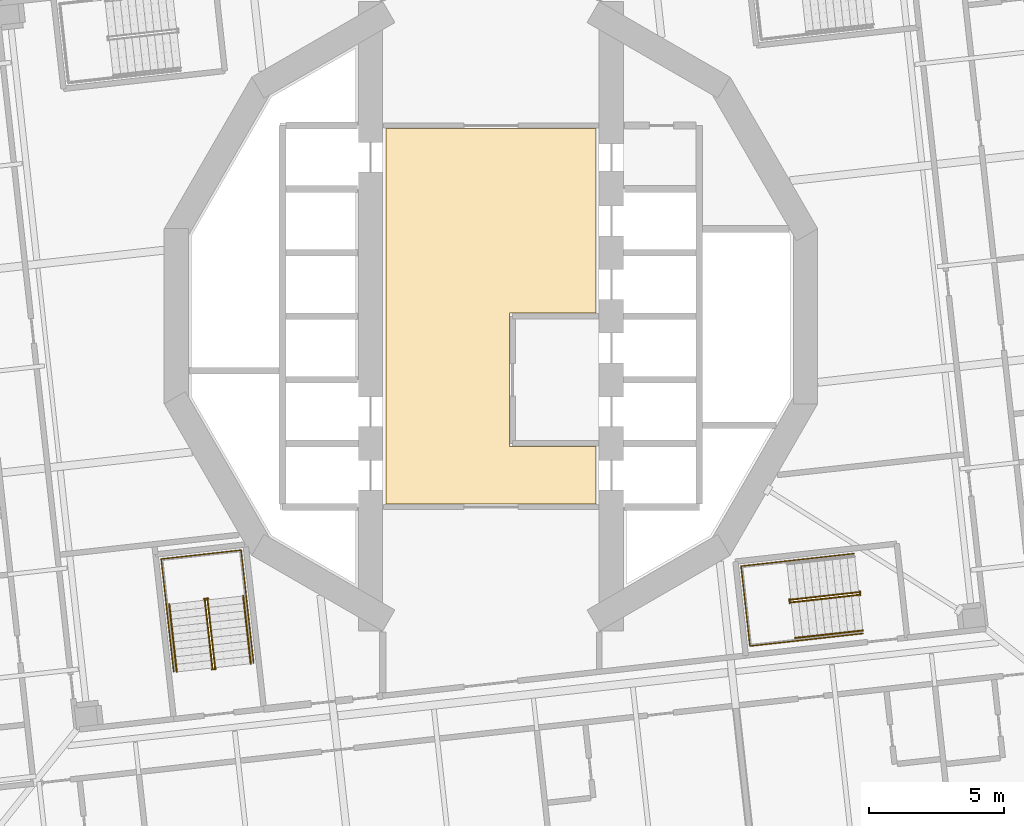
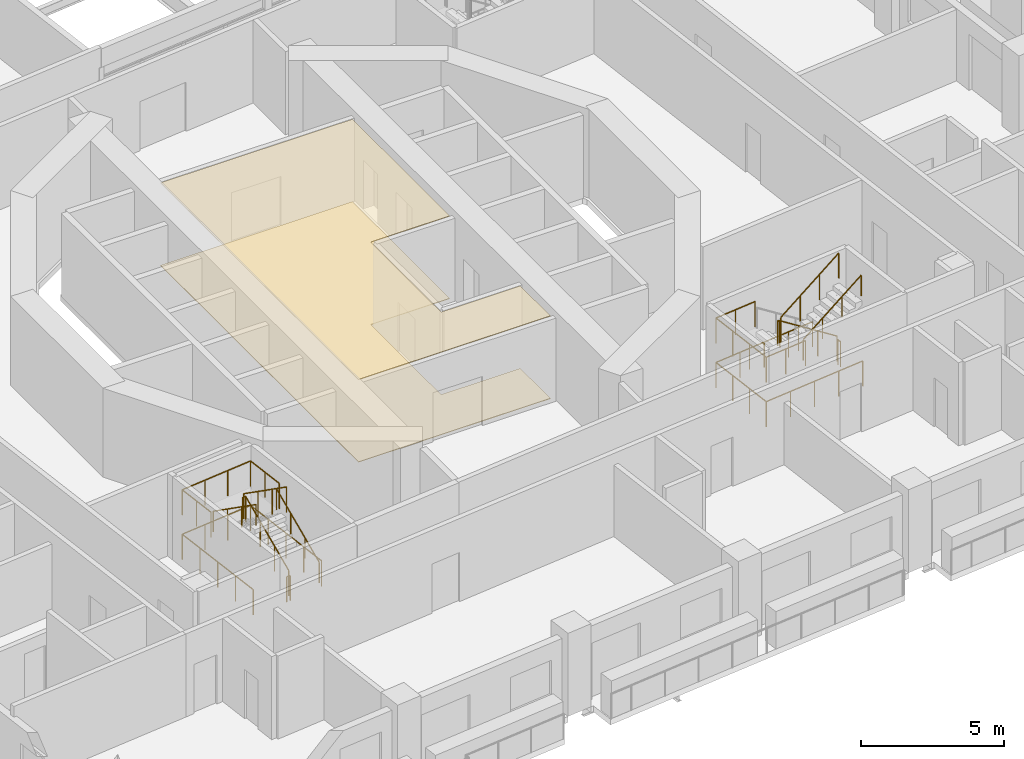
# One storey, part 16 of 20: 13 railings, 2 coverings.
"""IFC4 building model written with IfcOpenShell, lengths in metres."""

import ifcopenshell
import ifcopenshell.guid

model = None  # the IFC model being written
_history = None  # IfcOwnerHistory: only IFC2X3 demands one
_inside = {}  # id of a spatial element -> (the spatial element, [elements in it])
_under = {}  # id of a project, library or spatial element -> (it, [spatial elements below it])
_declared = {}  # id of a project -> (the project, [libraries it declares])
_typed = {}  # id of a type object -> (the type object, [elements of that type])
_made_of = {}  # id of a material, layer set ... -> (it, [elements and type objects made of it])


def new_model(schema):
    """Start an empty IFC model of exactly this schema.

    Asked for "IFC4X3", IfcOpenShell would pick the latest addendum, in which some entities
    have other attributes; the version numbers below select the first issue.
    IFC2X3 requires an IfcOwnerHistory on every rooted entity: one is made here for all.
    """
    global model, _history
    if schema == "IFC4X3":
        model = ifcopenshell.file(schema_version=(4, 3, 0, 0))
    else:
        model = ifcopenshell.file(schema=schema)
    _inside.clear()
    _under.clear()
    _declared.clear()
    _typed.clear()
    _made_of.clear()
    _history = None
    if model.schema == "IFC2X3":
        org = make("IfcOrganization", Name="unknown")
        user = make(
            "IfcPersonAndOrganization",
            ThePerson=make("IfcPerson", FamilyName="unknown"),
            TheOrganization=org,
        )
        app = make(
            "IfcApplication",
            ApplicationDeveloper=org,
            Version="unknown",
            ApplicationFullName="unknown",
            ApplicationIdentifier="unknown",
        )
        _history = make(
            "IfcOwnerHistory",
            OwningUser=user,
            OwningApplication=app,
            ChangeAction="ADDED",
            CreationDate=0,
        )
    return model


def make(cls, **values):
    """One entity of the class cls with the attributes given. An attribute that is None is left unset."""
    return model.create_entity(
        cls, **{name: value for name, value in values.items() if value is not None}
    )


def rooted(cls, **values):
    """An entity with a GlobalId (a new one), such as an element, a storey or a relation."""
    return make(cls, GlobalId=ifcopenshell.guid.new(), OwnerHistory=_history, **values)


def si_unit(unit_type, name, prefix=None):
    """IfcSIUnit, for example si_unit("LENGTHUNIT", "METRE", prefix="MILLI")."""
    return make("IfcSIUnit", UnitType=unit_type, Prefix=prefix, Name=name)


def assignment(units):
    """IfcUnitAssignment: the units of a project."""
    return None if units is None else make("IfcUnitAssignment", Units=units)


def point(xyz):
    """IfcCartesianPoint."""
    return None if xyz is None else make("IfcCartesianPoint", Coordinates=xyz)


def direction(xyz):
    """IfcDirection."""
    return None if xyz is None else make("IfcDirection", DirectionRatios=xyz)


def frame(location, z_axis=None, x_axis=None):
    """IfcAxis2Placement3D, a coordinate frame: its origin and axes. An axis left out is left unset."""
    return make(
        "IfcAxis2Placement3D",
        Location=point(location),
        Axis=direction(z_axis),
        RefDirection=direction(x_axis),
    )


def frame_2d(location, x_axis=None):
    """IfcAxis2Placement2D, a coordinate frame in the plane: its origin and x axis."""
    return make(
        "IfcAxis2Placement2D", Location=point(location), RefDirection=direction(x_axis)
    )


def origin():
    """The frame at (0, 0, 0) with its axes left unset."""
    return frame((0.0, 0.0, 0.0))


def origin_2d():
    """The frame at (0, 0) in the plane with its x axis left unset."""
    return frame_2d((0.0, 0.0))


def place(relative_to, where):
    """IfcLocalPlacement: puts the frame where relative to a parent placement (None: the world)."""
    return make(
        "IfcLocalPlacement", PlacementRelTo=relative_to, RelativePlacement=where
    )


def context(
    kind, dimensions, precision=None, world=None, true_north=None, identifier=None
):
    """IfcGeometricRepresentationContext, for example the 3D "Model" context."""
    return make(
        "IfcGeometricRepresentationContext",
        ContextIdentifier=identifier,
        ContextType=kind,
        CoordinateSpaceDimension=dimensions,
        Precision=precision,
        WorldCoordinateSystem=world,
        TrueNorth=true_north,
    )


def subcontext(parent, identifier, kind, view, scale=None):
    """IfcGeometricRepresentationSubContext, for example "Body" below "Model"."""
    return make(
        "IfcGeometricRepresentationSubContext",
        ContextIdentifier=identifier,
        ContextType=kind,
        ParentContext=parent,
        TargetScale=scale,
        TargetView=view,
    )


def project(units=None, contexts=None):
    """IfcProject with its units and contexts."""
    return rooted(
        "IfcProject",
        Name="project",
        RepresentationContexts=contexts,
        UnitsInContext=assignment(units),
    )


def spatial(cls, under=None, at=None, **own):
    """A site, building, storey or space (cls), placed at a placement, below another one or the project."""
    s = rooted(cls, ObjectPlacement=at, **own)
    if under is not None:
        _under.setdefault(under.id(), (under, []))[1].append(s)
    return s


def polyline(points):
    """IfcPolyline through the points."""
    return make("IfcPolyline", Points=[point(p) for p in points])


def profile(cls, at=None, kind="AREA", **sizes):
    """A parametric profile (cls). Its sizes go by their IFC names, for example OverallWidth=200.0."""
    return make(cls, ProfileType=kind, Position=at, **sizes)


def circle(**sizes):
    """IfcCircleProfileDef."""
    return profile("IfcCircleProfileDef", **sizes)


def outline(outer, holes=None, kind="AREA"):
    """IfcArbitraryClosedProfileDef: a profile drawn as a closed curve; with holes, ...WithVoids."""
    if holes is None:
        return make("IfcArbitraryClosedProfileDef", ProfileType=kind, OuterCurve=outer)
    return make(
        "IfcArbitraryProfileDefWithVoids",
        ProfileType=kind,
        OuterCurve=outer,
        InnerCurves=holes,
    )


def extrude(swept, where, along, depth):
    """IfcExtrudedAreaSolid: the profile swept, set in the frame where, extruded along a direction by depth."""
    return make(
        "IfcExtrudedAreaSolid",
        SweptArea=swept,
        Position=where,
        ExtrudedDirection=direction(along),
        Depth=depth,
    )


def shape(context_of_items, identifier, shape_type, items):
    """IfcShapeRepresentation: the items that make up one representation, for example the "Body"."""
    return make(
        "IfcShapeRepresentation",
        ContextOfItems=context_of_items,
        RepresentationIdentifier=identifier,
        RepresentationType=shape_type,
        Items=items,
    )


def material(Name=None, Category=None):
    """IfcMaterial."""
    return make("IfcMaterial", Name=Name, Category=Category)


def layer(
    of_material, thickness, ventilated=None, Name=None, Category=None, Priority=None
):
    """IfcMaterialLayer: one layer of a wall or slab, of a material (None: an air gap)."""
    return make(
        "IfcMaterialLayer",
        Material=of_material,
        LayerThickness=thickness,
        IsVentilated=ventilated,
        Name=Name,
        Category=Category,
        Priority=Priority,
    )


def layer_set(layers, Name=None):
    """IfcMaterialLayerSet."""
    return make("IfcMaterialLayerSet", MaterialLayers=layers, LayerSetName=Name)


def made_of(thing, what):
    """Note that an element or type object is made of a material, layer set ...; save() writes the relation."""
    if what is not None:
        _made_of.setdefault(what.id(), (what, []))[1].append(thing)
    return thing


def type_object(cls, material=None, **own):
    """A type object (cls), such as IfcWallType, which elements share."""
    return made_of(rooted(cls, **own), material)


def element(
    cls,
    number,
    at=None,
    inside=None,
    cuts=None,
    type_object=None,
    material=None,
    context=None,
    identifier="Body",
    shape_type=None,
    held_by="IfcProductDefinitionShape",
    body=None,
    shapes=None,
    **own,
):
    """One element of the class cls, such as IfcWall. Its Tag is "e" and its number.

    at: its placement. inside: the storey or other place that contains it. cuts: it is an
    opening in that element (IfcRelVoidsElement). A single representation is given by context,
    identifier, shape_type and body (its items); several are given by shapes. held_by: the class
    of the entity that holds the representations. save() writes the other relations.
    """
    e = rooted(cls, Tag="e%d" % number, ObjectPlacement=at, **own)
    if body is not None:
        shapes = [shape(context, identifier, shape_type, body)]
    if shapes is not None:
        e.Representation = make(held_by, Representations=shapes)
    if inside is not None:
        _inside.setdefault(inside.id(), (inside, []))[1].append(e)
    if cuts is not None:
        rooted(
            "IfcRelVoidsElement", RelatingBuildingElement=cuts, RelatedOpeningElement=e
        )
    if type_object is not None:
        _typed.setdefault(type_object.id(), (type_object, []))[1].append(e)
    return made_of(e, material)


def aggregate(whole, parts):
    """IfcRelAggregates: a whole, such as a stair, and the parts it consists of."""
    return rooted("IfcRelAggregates", RelatingObject=whole, RelatedObjects=parts)


def save(model, path):
    """Write the relations noted so far, then the file.

    IfcRelAggregates (storeys below a building ...), IfcRelContainedInSpatialStructure (elements
    in a storey), IfcRelDefinesByType, IfcRelAssociatesMaterial and IfcRelDeclares: one each for
    every whole, place, type object, material and project.
    """
    for whole, parts in _under.values():
        aggregate(whole, parts)
    for where, things in _inside.values():
        rooted(
            "IfcRelContainedInSpatialStructure",
            RelatedElements=things,
            RelatingStructure=where,
        )
    for kind, things in _typed.values():
        rooted("IfcRelDefinesByType", RelatedObjects=things, RelatingType=kind)
    for what, things in _made_of.values():
        rooted("IfcRelAssociatesMaterial", RelatedObjects=things, RelatingMaterial=what)
    for by, libraries in _declared.values():
        rooted("IfcRelDeclares", RelatingContext=by, RelatedDefinitions=libraries)
    model.write(path)


model = new_model("IFC4")

# Units and contexts
model_context = context("Model", 3, precision=1e-05, world=origin(), true_north=direction((0.0, 1.0)))
body_context = subcontext(model_context, "Body", "Model", "MODEL_VIEW")
ifc_project = project(units=[si_unit("LENGTHUNIT", "METRE"), si_unit("AREAUNIT", "SQUARE_METRE"), si_unit("VOLUMEUNIT", "CUBIC_METRE"), si_unit("PLANEANGLEUNIT", "RADIAN"), si_unit("MASSUNIT", "GRAM", prefix="KILO")], contexts=[model_context])

# Site, building, storey
site_placement = place(None, origin())
site = spatial("IfcSite", under=ifc_project, at=site_placement, CompositionType="ELEMENT")
building_placement = place(site_placement, origin())
building = spatial("IfcBuilding", under=site, at=building_placement, Name="Cantera Rosa Tower", CompositionType="ELEMENT")
storey_placement = place(building_placement, frame((0.0, 0.0, 46.300048828125)))
storey = spatial("IfcBuildingStorey", under=building, at=storey_placement, Name="L08", CompositionType="ELEMENT", Elevation=46.300048828125)

# Railings
ifc_material_1 = material(Name="Steel S355J2 (EN 10025-2)", Category="steel")
railing_type_1 = type_object("IfcRailingType", Name="STAIR GUARD 1100", PredefinedType="GUARDRAIL", material=ifc_material_1)
railing_1_placement = place(storey_placement, frame((-10.19677734375, -12.986083984375, 0.18994140625)))
element("IfcRailing", 1, at=railing_1_placement, inside=storey, type_object=railing_type_1, Name="L08 ST-13 stair guard 1", PredefinedType="GUARDRAIL", context=body_context, shape_type="SweptSolid", body=[
    extrude(circle(Radius=0.02392578125, at=origin_2d()), frame((0.0, 0.0, 1.076171875), z_axis=(-0.091310000343, 0.822431337597, 0.561488360321), x_axis=(-0.993893182753, -0.110346460196, 0.0)), (0.0, 0.0, 1.0), 3.04541015625),
    extrude(circle(Radius=0.02392578125, at=origin_2d()), frame((-0.278076171875, 2.504638671875, 2.7861328125), z_axis=(0.360141847183, 0.932897555956, 0.0), x_axis=(-0.932897555956, 0.360141847183, 0.0)), (0.0, 0.0, 1.0), 0.05615234375),
    extrude(circle(Radius=0.02392578125, at=origin_2d()), frame((-0.2578125, 2.55712890625, 2.7861328125), z_axis=(-0.994022053584, -0.109179471459, 0.0), x_axis=(0.109179471459, -0.994022053584, 0.0)), (0.0, 0.0, 1.0), 0.14990234375),
    extrude(circle(Radius=0.02099609375, at=origin_2d()), origin(), (0.0, 0.0, 1.0), 1.052001953125),
    extrude(circle(Radius=0.02099609375, at=origin_2d()), frame((-0.0927734375, 0.8349609375, 0.570068359375)), (0.0, 0.0, 1.0), 1.052001953125),
    extrude(circle(Radius=0.02099609375, at=origin_2d()), frame((-0.185302734375, 1.669677734375, 1.139892578125)), (0.0, 0.0, 1.0), 1.052001953125),
    extrude(circle(Radius=0.02099609375, at=origin_2d()), frame((-0.278076171875, 2.504638671875, 1.7099609375)), (0.0, 0.0, 1.0), 1.052001953125),
    extrude(circle(Radius=0.02099609375, at=origin_2d()), frame((-0.2578125, 2.55712890625, 1.7099609375)), (0.0, 0.0, 1.0), 1.052001953125),
    extrude(circle(Radius=0.02099609375, at=origin_2d()), frame((-0.40673828125, 2.540771484375, 1.7099609375)), (0.0, 0.0, 1.0), 1.052001953125),
])
railing_2_placement = place(storey_placement, frame((-10.572265625, -10.4921875, 2.08984375)))
element("IfcRailing", 2, at=railing_2_placement, inside=storey, type_object=railing_type_1, Name="L08 ST-13 stair guard 2", PredefinedType="GUARDRAIL", context=body_context, shape_type="SweptSolid", body=[
    extrude(circle(Radius=0.02392578125, at=origin_2d()), frame((0.0, 0.0, 1.076171875), z_axis=(0.091305890215, -0.822394317572, 0.561543249302), x_axis=(0.993893182753, 0.110346460196, 0.0)), (0.0, 0.0, 1.0), 3.045654296875),
    extrude(circle(Radius=0.02099609375, at=origin_2d()), origin(), (0.0, 0.0, 1.0), 1.052001953125),
    extrude(circle(Radius=0.02099609375, at=origin_2d()), frame((0.0927734375, -0.8349609375, 0.570068359375)), (0.0, 0.0, 1.0), 1.052001953125),
    extrude(circle(Radius=0.02099609375, at=origin_2d()), frame((0.185302734375, -1.669677734375, 1.14013671875)), (0.0, 0.0, 1.0), 1.052001953125),
    extrude(circle(Radius=0.02099609375, at=origin_2d()), frame((0.278076171875, -2.504638671875, 1.710205078125)), (0.0, 0.0, 1.0), 1.052001953125),
])
railing_3_placement = place(storey_placement, frame((-10.16552734375, -13.032958984375, 0.0)))
element("IfcRailing", 3, at=railing_3_placement, inside=storey, type_object=railing_type_1, Name="L08 ST-13 stair guard 3", PredefinedType="GUARDRAIL", context=body_context, shape_type="SweptSolid", body=[
    extrude(circle(Radius=0.02392578125, at=origin_2d()), frame((0.0, 0.0, 1.076171875), z_axis=(-0.994041430915, -0.1090029065, 0.0), x_axis=(0.1090029065, -0.994041430915, 0.0)), (0.0, 0.0, 1.0), 0.150146484375),
    extrude(circle(Radius=0.02099609375, at=origin_2d()), origin(), (0.0, 0.0, 1.0), 1.052001953125),
    extrude(circle(Radius=0.02099609375, at=origin_2d()), frame((-0.149169921875, -0.016357421875, 0.0)), (0.0, 0.0, 1.0), 1.052001953125),
])
railing_4_placement = place(storey_placement, frame((-8.77099609375, -12.815673828125, 0.0)))
element("IfcRailing", 4, at=railing_4_placement, inside=storey, type_object=railing_type_1, Name="L08 ST-13 stair guard 4", PredefinedType="GUARDRAIL", context=body_context, shape_type="SweptSolid", body=[
    extrude(circle(Radius=0.02392578125, at=origin_2d()), frame((0.0, 0.0, 1.076171875), z_axis=(-0.110323013767, 0.9938957856, 0.0), x_axis=(-0.9938957856, -0.110323013767, 0.0)), (0.0, 0.0, 1.0), 4.197998046875),
    extrude(circle(Radius=0.02392578125, at=origin_2d()), frame((-0.463134765625, 4.17236328125, 1.076171875), z_axis=(-0.993896759678, -0.110314237986, 0.0), x_axis=(0.110314237986, -0.993896759678, 0.0)), (0.0, 0.0, 1.0), 2.969970703125),
    extrude(circle(Radius=0.02392578125, at=origin_2d()), frame((-3.4150390625, 3.8447265625, 1.076171875), z_axis=(0.110323013767, -0.9938957856, 0.0), x_axis=(0.9938957856, 0.110323013767, 0.0)), (0.0, 0.0, 1.0), 4.197998046875),
    extrude(circle(Radius=0.02099609375, at=origin_2d()), origin(), (0.0, 0.0, 1.0), 1.052001953125),
    extrude(circle(Radius=0.02099609375, at=origin_2d()), frame((-0.11572265625, 1.04296875, 0.0)), (0.0, 0.0, 1.0), 1.052001953125),
    extrude(circle(Radius=0.02099609375, at=origin_2d()), frame((-0.2314453125, 2.086181640625, 0.0)), (0.0, 0.0, 1.0), 1.052001953125),
    extrude(circle(Radius=0.02099609375, at=origin_2d()), frame((-0.347412109375, 3.12939453125, 0.0)), (0.0, 0.0, 1.0), 1.052001953125),
    extrude(circle(Radius=0.02099609375, at=origin_2d()), frame((-0.463134765625, 4.17236328125, 0.0)), (0.0, 0.0, 1.0), 1.052001953125),
    extrude(circle(Radius=0.02099609375, at=origin_2d()), frame((-1.447021484375, 4.063232421875, 0.0)), (0.0, 0.0, 1.0), 1.052001953125),
    extrude(circle(Radius=0.02099609375, at=origin_2d()), frame((-2.43115234375, 3.953857421875, 0.0)), (0.0, 0.0, 1.0), 1.052001953125),
    extrude(circle(Radius=0.02099609375, at=origin_2d()), frame((-3.4150390625, 3.8447265625, 0.0)), (0.0, 0.0, 1.0), 1.052001953125),
    extrude(circle(Radius=0.02099609375, at=origin_2d()), frame((-3.29931640625, 2.8017578125, 0.0)), (0.0, 0.0, 1.0), 1.052001953125),
    extrude(circle(Radius=0.02099609375, at=origin_2d()), frame((-3.18359375, 1.758544921875, 0.0)), (0.0, 0.0, 1.0), 1.052001953125),
    extrude(circle(Radius=0.02099609375, at=origin_2d()), frame((-3.067626953125, 0.71533203125, 0.0)), (0.0, 0.0, 1.0), 1.052001953125),
    extrude(circle(Radius=0.02099609375, at=origin_2d()), frame((-2.951904296875, -0.32763671875, 0.0)), (0.0, 0.0, 1.0), 1.052001953125),
])
railing_5_placement = place(storey_placement, frame((-9.04638671875, -10.3349609375, 1.89990234375)))
element("IfcRailing", 5, at=railing_5_placement, inside=storey, type_object=railing_type_1, Name="L08 ST-13 stair guard 5", PredefinedType="GUARDRAIL", context=body_context, shape_type="SweptSolid", body=[
    extrude(circle(Radius=0.02392578125, at=origin_2d()), frame((0.0, 0.0, 1.076171875), z_axis=(-0.110305577623, 0.993897720867, 0.0), x_axis=(-0.993897720867, -0.110305577623, 0.0)), (0.0, 0.0, 1.0), 1.7021484375),
    extrude(circle(Radius=0.02392578125, at=origin_2d()), frame((-0.187744140625, 1.691650390625, 1.076171875), z_axis=(-0.993896759678, -0.110314237986, 0.0), x_axis=(0.110314237986, -0.993896759678, 0.0)), (0.0, 0.0, 1.0), 2.969970703125),
    extrude(circle(Radius=0.02392578125, at=origin_2d()), frame((-3.1396484375, 1.364013671875, 1.076171875), z_axis=(0.110447269257, -0.993881985305, 0.0), x_axis=(0.993881985305, 0.110447269257, 0.0)), (0.0, 0.0, 1.0), 1.7021484375),
    extrude(circle(Radius=0.02099609375, at=origin_2d()), origin(), (0.0, 0.0, 1.0), 1.052001953125),
    extrude(circle(Radius=0.02099609375, at=origin_2d()), frame((-0.09375, 0.845703125, 0.0)), (0.0, 0.0, 1.0), 1.052001953125),
    extrude(circle(Radius=0.02099609375, at=origin_2d()), frame((-0.187744140625, 1.691650390625, 0.0)), (0.0, 0.0, 1.0), 1.052001953125),
    extrude(circle(Radius=0.02099609375, at=origin_2d()), frame((-1.171630859375, 1.58251953125, 0.0)), (0.0, 0.0, 1.0), 1.052001953125),
    extrude(circle(Radius=0.02099609375, at=origin_2d()), frame((-2.15576171875, 1.47314453125, 0.0)), (0.0, 0.0, 1.0), 1.052001953125),
    extrude(circle(Radius=0.02099609375, at=origin_2d()), frame((-3.1396484375, 1.364013671875, 0.0)), (0.0, 0.0, 1.0), 1.052001953125),
    extrude(circle(Radius=0.02099609375, at=origin_2d()), frame((-3.045654296875, 0.51806640625, 0.0)), (0.0, 0.0, 1.0), 1.052001953125),
    extrude(circle(Radius=0.02099609375, at=origin_2d()), frame((-2.95166015625, -0.32763671875, 0.0)), (0.0, 0.0, 1.0), 1.052001953125),
])
railing_6_placement = place(storey_placement, frame((13.5859375, -10.19677734375, 0.18994140625)))
element("IfcRailing", 6, at=railing_6_placement, inside=storey, type_object=railing_type_1, Name="L08 ST-14 stair guard 1", PredefinedType="GUARDRAIL", context=body_context, shape_type="SweptSolid", body=[
    extrude(circle(Radius=0.02392578125, at=origin_2d()), frame((0.0, 0.0, 1.076171875), z_axis=(-0.822405392514, -0.091316020869, 0.561525382059), x_axis=(0.110357086308, -0.993892002937, 0.0)), (0.0, 0.0, 1.0), 3.045166015625),
    extrude(circle(Radius=0.02392578125, at=origin_2d()), frame((-2.50439453125, -0.278076171875, 2.7861328125), z_axis=(-0.933456941688, 0.358689472963, 0.0), x_axis=(-0.358689472963, -0.933456941688, 0.0)), (0.0, 0.0, 1.0), 0.056396484375),
    extrude(circle(Radius=0.02392578125, at=origin_2d()), frame((-2.55712890625, -0.2578125, 2.7861328125), z_axis=(0.110789159685, -0.993843932464, 0.0), x_axis=(0.993843932464, 0.110789159685, 0.0)), (0.0, 0.0, 1.0), 0.14990234375),
    extrude(circle(Radius=0.02099609375, at=origin_2d()), origin(), (0.0, 0.0, 1.0), 1.052001953125),
    extrude(circle(Radius=0.02099609375, at=origin_2d()), frame((-0.834716796875, -0.0927734375, 0.570068359375)), (0.0, 0.0, 1.0), 1.052001953125),
    extrude(circle(Radius=0.02099609375, at=origin_2d()), frame((-1.669677734375, -0.185302734375, 1.139892578125)), (0.0, 0.0, 1.0), 1.052001953125),
    extrude(circle(Radius=0.02099609375, at=origin_2d()), frame((-2.50439453125, -0.278076171875, 1.7099609375)), (0.0, 0.0, 1.0), 1.052001953125),
    extrude(circle(Radius=0.02099609375, at=origin_2d()), frame((-2.55712890625, -0.2578125, 1.7099609375)), (0.0, 0.0, 1.0), 1.052001953125),
    extrude(circle(Radius=0.02099609375, at=origin_2d()), frame((-2.54052734375, -0.40673828125, 1.7099609375)), (0.0, 0.0, 1.0), 1.052001953125),
])
railing_7_placement = place(storey_placement, frame((11.09228515625, -10.572265625, 2.08984375)))
element("IfcRailing", 7, at=railing_7_placement, inside=storey, type_object=railing_type_1, Name="L08 ST-14 stair guard 2", PredefinedType="GUARDRAIL", context=body_context, shape_type="SweptSolid", body=[
    extrude(circle(Radius=0.02392578125, at=origin_2d()), frame((0.0, 0.0, 1.076171875), z_axis=(0.822394317572, 0.091305890215, 0.561543249302), x_axis=(-0.110346460196, 0.993893182753, 0.0)), (0.0, 0.0, 1.0), 3.045654296875),
    extrude(circle(Radius=0.02099609375, at=origin_2d()), origin(), (0.0, 0.0, 1.0), 1.052001953125),
    extrude(circle(Radius=0.02099609375, at=origin_2d()), frame((0.8349609375, 0.0927734375, 0.570068359375)), (0.0, 0.0, 1.0), 1.052001953125),
    extrude(circle(Radius=0.02099609375, at=origin_2d()), frame((1.669677734375, 0.185302734375, 1.14013671875)), (0.0, 0.0, 1.0), 1.052001953125),
    extrude(circle(Radius=0.02099609375, at=origin_2d()), frame((2.504638671875, 0.278076171875, 1.710205078125)), (0.0, 0.0, 1.0), 1.052001953125),
])
railing_8_placement = place(storey_placement, frame((13.6328125, -10.16552734375, 0.0)))
element("IfcRailing", 8, at=railing_8_placement, inside=storey, type_object=railing_type_1, Name="L08 ST-14 stair guard 3", PredefinedType="GUARDRAIL", context=body_context, shape_type="SweptSolid", body=[
    extrude(circle(Radius=0.02392578125, at=origin_2d()), frame((0.0, 0.0, 1.076171875), z_axis=(0.110610055588, -0.993863881828, 0.0), x_axis=(0.993863881828, 0.110610055588, 0.0)), (0.0, 0.0, 1.0), 0.150146484375),
    extrude(circle(Radius=0.02099609375, at=origin_2d()), origin(), (0.0, 0.0, 1.0), 1.052001953125),
    extrude(circle(Radius=0.02099609375, at=origin_2d()), frame((0.0166015625, -0.149169921875, 0.0)), (0.0, 0.0, 1.0), 1.052001953125),
])
railing_9_placement = place(storey_placement, frame((13.415771484375, -8.77099609375, 0.0)))
element("IfcRailing", 9, at=railing_9_placement, inside=storey, type_object=railing_type_1, Name="L08 ST-14 stair guard 4", PredefinedType="GUARDRAIL", context=body_context, shape_type="SweptSolid", body=[
    extrude(circle(Radius=0.02392578125, at=origin_2d()), frame((0.0, 0.0, 1.076171875), z_axis=(-0.9938957856, -0.110323013767, 0.0), x_axis=(0.110323013767, -0.9938957856, 0.0)), (0.0, 0.0, 1.0), 4.197998046875),
    extrude(circle(Radius=0.02392578125, at=origin_2d()), frame((-4.17236328125, -0.463134765625, 1.076171875), z_axis=(0.110314237986, -0.993896759678, 0.0), x_axis=(0.993896759678, 0.110314237986, 0.0)), (0.0, 0.0, 1.0), 2.969970703125),
    extrude(circle(Radius=0.02392578125, at=origin_2d()), frame((-3.8447265625, -3.4150390625, 1.076171875), z_axis=(0.9938957856, 0.110323013767, 0.0), x_axis=(-0.110323013767, 0.9938957856, 0.0)), (0.0, 0.0, 1.0), 4.197998046875),
    extrude(circle(Radius=0.02099609375, at=origin_2d()), origin(), (0.0, 0.0, 1.0), 1.052001953125),
    extrude(circle(Radius=0.02099609375, at=origin_2d()), frame((-1.04296875, -0.11572265625, 0.0)), (0.0, 0.0, 1.0), 1.052001953125),
    extrude(circle(Radius=0.02099609375, at=origin_2d()), frame((-2.086181640625, -0.2314453125, 0.0)), (0.0, 0.0, 1.0), 1.052001953125),
    extrude(circle(Radius=0.02099609375, at=origin_2d()), frame((-3.12939453125, -0.347412109375, 0.0)), (0.0, 0.0, 1.0), 1.052001953125),
    extrude(circle(Radius=0.02099609375, at=origin_2d()), frame((-4.17236328125, -0.463134765625, 0.0)), (0.0, 0.0, 1.0), 1.052001953125),
    extrude(circle(Radius=0.02099609375, at=origin_2d()), frame((-4.063232421875, -1.447021484375, 0.0)), (0.0, 0.0, 1.0), 1.052001953125),
    extrude(circle(Radius=0.02099609375, at=origin_2d()), frame((-3.953857421875, -2.43115234375, 0.0)), (0.0, 0.0, 1.0), 1.052001953125),
    extrude(circle(Radius=0.02099609375, at=origin_2d()), frame((-3.8447265625, -3.4150390625, 0.0)), (0.0, 0.0, 1.0), 1.052001953125),
    extrude(circle(Radius=0.02099609375, at=origin_2d()), frame((-2.8017578125, -3.29931640625, 0.0)), (0.0, 0.0, 1.0), 1.052001953125),
    extrude(circle(Radius=0.02099609375, at=origin_2d()), frame((-1.758544921875, -3.18359375, 0.0)), (0.0, 0.0, 1.0), 1.052001953125),
    extrude(circle(Radius=0.02099609375, at=origin_2d()), frame((-0.71533203125, -3.067626953125, 0.0)), (0.0, 0.0, 1.0), 1.052001953125),
    extrude(circle(Radius=0.02099609375, at=origin_2d()), frame((0.32763671875, -2.951904296875, 0.0)), (0.0, 0.0, 1.0), 1.052001953125),
])
railing_10_placement = place(storey_placement, frame((10.93505859375, -9.04638671875, 1.89990234375)))
element("IfcRailing", 10, at=railing_10_placement, inside=storey, type_object=railing_type_1, Name="L08 ST-14 stair guard 5", PredefinedType="GUARDRAIL", context=body_context, shape_type="SweptSolid", body=[
    extrude(circle(Radius=0.02392578125, at=origin_2d()), frame((0.0, 0.0, 1.076171875), z_axis=(-0.993897720867, -0.110305577623, 0.0), x_axis=(0.110305577623, -0.993897720867, 0.0)), (0.0, 0.0, 1.0), 1.7021484375),
    extrude(circle(Radius=0.02392578125, at=origin_2d()), frame((-1.691650390625, -0.187744140625, 1.076171875), z_axis=(0.110314237986, -0.993896759678, 0.0), x_axis=(0.993896759678, 0.110314237986, 0.0)), (0.0, 0.0, 1.0), 2.969970703125),
    extrude(circle(Radius=0.02392578125, at=origin_2d()), frame((-1.364013671875, -3.1396484375, 1.076171875), z_axis=(0.993881985305, 0.110447269257, 0.0), x_axis=(-0.110447269257, 0.993881985305, 0.0)), (0.0, 0.0, 1.0), 1.7021484375),
    extrude(circle(Radius=0.02099609375, at=origin_2d()), origin(), (0.0, 0.0, 1.0), 1.052001953125),
    extrude(circle(Radius=0.02099609375, at=origin_2d()), frame((-0.845703125, -0.09375, 0.0)), (0.0, 0.0, 1.0), 1.052001953125),
    extrude(circle(Radius=0.02099609375, at=origin_2d()), frame((-1.691650390625, -0.187744140625, 0.0)), (0.0, 0.0, 1.0), 1.052001953125),
    extrude(circle(Radius=0.02099609375, at=origin_2d()), frame((-1.58251953125, -1.171630859375, 0.0)), (0.0, 0.0, 1.0), 1.052001953125),
    extrude(circle(Radius=0.02099609375, at=origin_2d()), frame((-1.47314453125, -2.15576171875, 0.0)), (0.0, 0.0, 1.0), 1.052001953125),
    extrude(circle(Radius=0.02099609375, at=origin_2d()), frame((-1.364013671875, -3.1396484375, 0.0)), (0.0, 0.0, 1.0), 1.052001953125),
    extrude(circle(Radius=0.02099609375, at=origin_2d()), frame((-0.51806640625, -3.045654296875, 0.0)), (0.0, 0.0, 1.0), 1.052001953125),
    extrude(circle(Radius=0.02099609375, at=origin_2d()), frame((0.32763671875, -2.95166015625, 0.0)), (0.0, 0.0, 1.0), 1.052001953125),
])
ifc_material_2 = material(Name="Steel S355J2 (EN 10025-2)", Category="steel")
railing_type_2 = type_object("IfcRailingType", Name="STAIR HANDRAIL 900", PredefinedType="HANDRAIL", material=ifc_material_2)
railing_11_placement = place(storey_placement, frame((-8.87890625, -12.83984375, 0.18994140625)))
element("IfcRailing", 11, at=railing_11_placement, inside=storey, type_object=railing_type_2, Name="L08 ST-13 stair handrail 1", PredefinedType="HANDRAIL", context=body_context, shape_type="SweptSolid", body=[
    extrude(circle(Radius=0.02392578125, at=origin_2d()), frame((0.0, 0.0, 0.8759765625), z_axis=(-0.091310000343, 0.822431337597, 0.561488360321), x_axis=(-0.993893182753, -0.110346460196, 0.0)), (0.0, 0.0, 1.0), 3.04541015625),
    extrude(circle(Radius=0.02099609375, at=origin_2d()), origin(), (0.0, 0.0, 1.0), 0.851806640625),
    extrude(circle(Radius=0.02099609375, at=origin_2d()), frame((-0.0927734375, 0.8349609375, 0.570068359375)), (0.0, 0.0, 1.0), 0.851806640625),
    extrude(circle(Radius=0.02099609375, at=origin_2d()), frame((-0.185302734375, 1.669677734375, 1.139892578125)), (0.0, 0.0, 1.0), 0.851806640625),
    extrude(circle(Radius=0.02099609375, at=origin_2d()), frame((-0.278076171875, 2.504638671875, 1.7099609375)), (0.0, 0.0, 1.0), 0.851806640625),
])
railing_12_placement = place(storey_placement, frame((-11.89013671875, -10.638427734375, 2.08984375)))
element("IfcRailing", 12, at=railing_12_placement, inside=storey, type_object=railing_type_2, Name="L08 ST-13 stair handrail 2", PredefinedType="HANDRAIL", context=body_context, shape_type="SweptSolid", body=[
    extrude(circle(Radius=0.02392578125, at=origin_2d()), frame((0.0, 0.0, 0.8759765625), z_axis=(0.091305890215, -0.822394317572, 0.561543249302), x_axis=(0.993893182753, 0.110346460196, 0.0)), (0.0, 0.0, 1.0), 3.045654296875),
    extrude(circle(Radius=0.02099609375, at=origin_2d()), origin(), (0.0, 0.0, 1.0), 0.851806640625),
    extrude(circle(Radius=0.02099609375, at=origin_2d()), frame((0.0927734375, -0.8349609375, 0.570068359375)), (0.0, 0.0, 1.0), 0.851806640625),
    extrude(circle(Radius=0.02099609375, at=origin_2d()), frame((0.185302734375, -1.669677734375, 1.14013671875)), (0.0, 0.0, 1.0), 0.851806640625),
    extrude(circle(Radius=0.02099609375, at=origin_2d()), frame((0.278076171875, -2.504638671875, 1.710205078125)), (0.0, 0.0, 1.0), 0.851806640625),
])
railing_13_placement = place(storey_placement, frame((11.238525390625, -11.89013671875, 2.08984375)))
element("IfcRailing", 13, at=railing_13_placement, inside=storey, type_object=railing_type_2, Name="L08 ST-14 stair handrail 2", PredefinedType="HANDRAIL", context=body_context, shape_type="SweptSolid", body=[
    extrude(circle(Radius=0.02392578125, at=origin_2d()), frame((0.0, 0.0, 0.8759765625), z_axis=(0.822394317572, 0.091305890215, 0.561543249302), x_axis=(-0.110346460196, 0.993893182753, 0.0)), (0.0, 0.0, 1.0), 3.045654296875),
    extrude(circle(Radius=0.02099609375, at=origin_2d()), origin(), (0.0, 0.0, 1.0), 0.851806640625),
    extrude(circle(Radius=0.02099609375, at=origin_2d()), frame((0.8349609375, 0.0927734375, 0.570068359375)), (0.0, 0.0, 1.0), 0.851806640625),
    extrude(circle(Radius=0.02099609375, at=origin_2d()), frame((1.669677734375, 0.185302734375, 1.14013671875)), (0.0, 0.0, 1.0), 0.851806640625),
    extrude(circle(Radius=0.02099609375, at=origin_2d()), frame((2.504638671875, 0.278076171875, 1.710205078125)), (0.0, 0.0, 1.0), 0.851806640625),
])

# Coverings
ifc_material_3 = material(Name="Limestone paving", Category="masonry")
ifc_layer_1 = layer(ifc_material_3, 0.02490234375)
ifc_layer_set_1 = layer_set([ifc_layer_1], Name="STONE FLOOR FINISH 25")
covering_type_1 = type_object("IfcCoveringType", Name="STONE FLOOR FINISH 25", PredefinedType="FLOORING", material=ifc_layer_set_1)
covering_1_placement = place(storey_placement, origin())
element("IfcCovering", 14, at=covering_1_placement, inside=storey, type_object=covering_type_1, Name="STONE FLOOR FINISH L08", PredefinedType="FLOORING", context=body_context, shape_type="SweptSolid", body=[
    extrude(outline(polyline([(3.8798828125, 6.929931640625), (3.8798828125, 0.1201171875), (0.679931640625, 0.1201171875), (0.679931640625, -4.820068359375), (3.8798828125, -4.820068359375), (3.8798828125, -6.929931640625), (-3.8798828125, -6.929931640625), (-3.8798828125, 6.929931640625), (3.8798828125, 6.929931640625)])), origin(), (0.0, 0.0, 1.0), 0.02490234375),
])
ifc_material_4 = material(Name="Gypsum ceiling tile")
ifc_layer_2 = layer(ifc_material_4, 0.030029296875)
ifc_layer_set_2 = layer_set([ifc_layer_2], Name="SUSPENDED CEILING 30")
covering_type_2 = type_object("IfcCoveringType", Name="SUSPENDED CEILING 30", PredefinedType="CEILING", material=ifc_layer_set_2)
covering_2_placement = place(storey_placement, frame((0.0, 0.0, 3.52001953125)))
element("IfcCovering", 15, at=covering_2_placement, inside=storey, type_object=covering_type_2, Name="SUSPENDED CEILING L08", PredefinedType="CEILING", context=body_context, shape_type="SweptSolid", body=[
    extrude(outline(polyline([(3.8798828125, 6.929931640625), (3.8798828125, 0.1201171875), (0.679931640625, 0.1201171875), (0.679931640625, -4.820068359375), (3.8798828125, -4.820068359375), (3.8798828125, -6.929931640625), (-3.8798828125, -6.929931640625), (-3.8798828125, 6.929931640625), (3.8798828125, 6.929931640625)])), origin(), (0.0, 0.0, 1.0), 0.030029296875),
])

save(model, "model.ifc")
